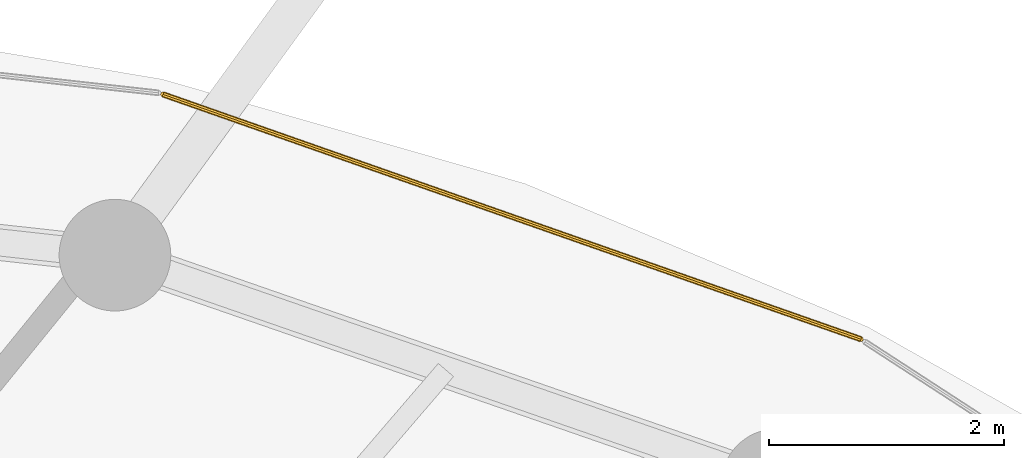
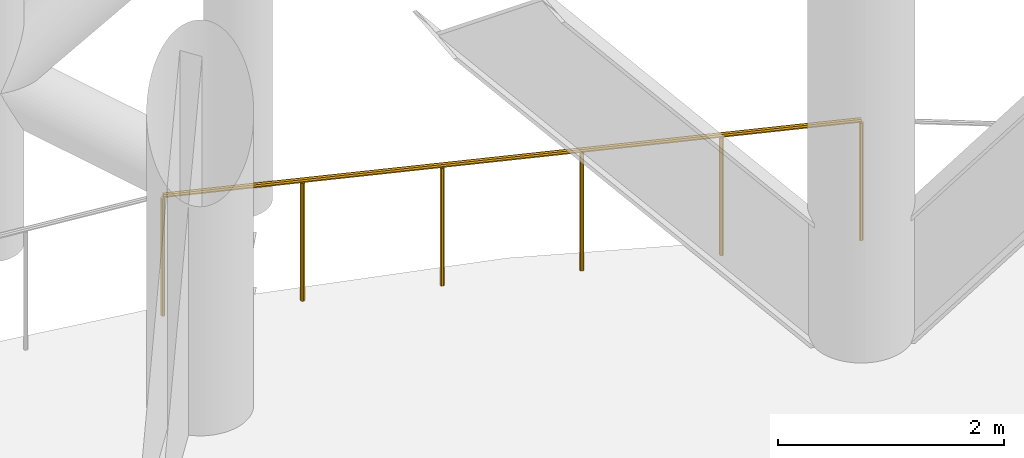
# One storey, part 18 of 18: 1 railing.
"""IFC4 building model written with IfcOpenShell, lengths in metres."""

from ifc_helpers import new_model, si_unit, direction, frame, origin, place, context, subcontext, project, spatial, polyline, outline, extrude, material, type_object, element, save


model = new_model("IFC4")

# Units and contexts
model_context = context("Model", 3, precision=1e-05, world=origin(), true_north=direction((0.0, 1.0)))
body_context = subcontext(model_context, "Body", "Model", "MODEL_VIEW")
ifc_project = project(units=[si_unit("LENGTHUNIT", "METRE"), si_unit("AREAUNIT", "SQUARE_METRE"), si_unit("VOLUMEUNIT", "CUBIC_METRE"), si_unit("PLANEANGLEUNIT", "RADIAN"), si_unit("MASSUNIT", "GRAM", prefix="KILO")], contexts=[model_context])

# Site, building, storey
site_placement = place(None, origin())
site = spatial("IfcSite", under=ifc_project, at=site_placement, CompositionType="ELEMENT")
building_placement = place(site_placement, origin())
building = spatial("IfcBuilding", under=site, at=building_placement, Name="Nuhasar Tower", CompositionType="ELEMENT")
storey_placement = place(building_placement, frame((0.0, 0.0, 195.949951171875)))
storey = spatial("IfcBuildingStorey", under=building, at=storey_placement, Name="L48", CompositionType="ELEMENT", Elevation=195.949951171875)

# Railing
ifc_material = material(Name="Stainless Steel 316L", Category="steel")
railing_type = type_object("IfcRailingType", Name="RLG-WIND-1320", PredefinedType="GUARDRAIL", material=ifc_material)
railing_placement = place(storey_placement, frame((51.389892578125, 44.968994140625, 0.0)))
element("IfcRailing", 1, at=railing_placement, inside=storey, type_object=railing_type, Name="L48 Open Wind Floor Perimeter Guardrail 05", PredefinedType="GUARDRAIL", context=body_context, shape_type="SweptSolid", body=[
    extrude(outline(polyline([(0.024169921875, 0.0), (0.01708984375, 0.01708984375), (0.0, 0.024169921875), (-0.01708984375, 0.01708984375), (-0.024169921875, 0.0), (-0.01708984375, -0.01708984375), (0.0, -0.024169921875), (0.01708984375, -0.01708984375), (0.024169921875, 0.0)])), frame((0.0, 0.0, 1.2958984375), z_axis=(-0.943624646388, 0.33101741152, 0.0), x_axis=(-0.33101741152, -0.943624646388, 0.0)), (0.0, 0.0, 1.0), 6.292724609375),
    extrude(outline(polyline([(0.02099609375, 0.0), (0.014892578125, 0.014892578125), (0.0, 0.02099609375), (-0.014892578125, 0.014892578125), (-0.02099609375, 0.0), (-0.014892578125, -0.014892578125), (0.0, -0.02099609375), (0.014892578125, -0.014892578125), (0.02099609375, 0.0)])), origin(), (0.0, 0.0, 1.0), 1.27197265625),
    extrude(outline(polyline([(0.02099609375, 0.0), (0.014892578125, 0.014892578125), (0.0, 0.02099609375), (-0.014892578125, 0.014892578125), (-0.02099609375, 0.0), (-0.014892578125, -0.014892578125), (0.0, -0.02099609375), (0.014892578125, -0.014892578125), (0.02099609375, 0.0)])), frame((-1.1875, 0.41650390625, 0.0)), (0.0, 0.0, 1.0), 1.27197265625),
    extrude(outline(polyline([(0.02099609375, 0.0), (0.014892578125, 0.014892578125), (0.0, 0.02099609375), (-0.014892578125, 0.014892578125), (-0.02099609375, 0.0), (-0.014892578125, -0.014892578125), (0.0, -0.02099609375), (0.014892578125, -0.014892578125), (0.02099609375, 0.0)])), frame((-2.375244140625, 0.833251953125, 0.0)), (0.0, 0.0, 1.0), 1.27197265625),
    extrude(outline(polyline([(0.02099609375, 0.0), (0.014892578125, 0.014892578125), (0.0, 0.02099609375), (-0.014892578125, 0.014892578125), (-0.02099609375, 0.0), (-0.014892578125, -0.014892578125), (0.0, -0.02099609375), (0.014892578125, -0.014892578125), (0.02099609375, 0.0)])), frame((-3.562744140625, 1.249755859375, 0.0)), (0.0, 0.0, 1.0), 1.27197265625),
    extrude(outline(polyline([(0.02099609375, 0.0), (0.014892578125, 0.014892578125), (0.0, 0.02099609375), (-0.014892578125, 0.014892578125), (-0.02099609375, 0.0), (-0.014892578125, -0.014892578125), (0.0, -0.02099609375), (0.014892578125, -0.014892578125), (0.02099609375, 0.0)])), frame((-4.75048828125, 1.66650390625, 0.0)), (0.0, 0.0, 1.0), 1.27197265625),
    extrude(outline(polyline([(0.02099609375, 0.0), (0.014892578125, 0.014892578125), (0.0, 0.02099609375), (-0.014892578125, 0.014892578125), (-0.02099609375, 0.0), (-0.014892578125, -0.014892578125), (0.0, -0.02099609375), (0.014892578125, -0.014892578125), (0.02099609375, 0.0)])), frame((-5.93798828125, 2.0830078125, 0.0)), (0.0, 0.0, 1.0), 1.27197265625),
])

save(model, "model.ifc")
